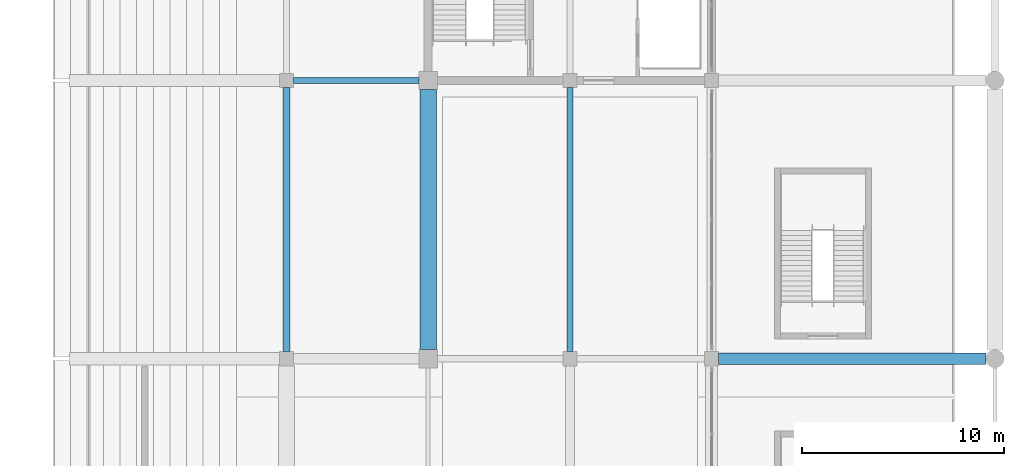
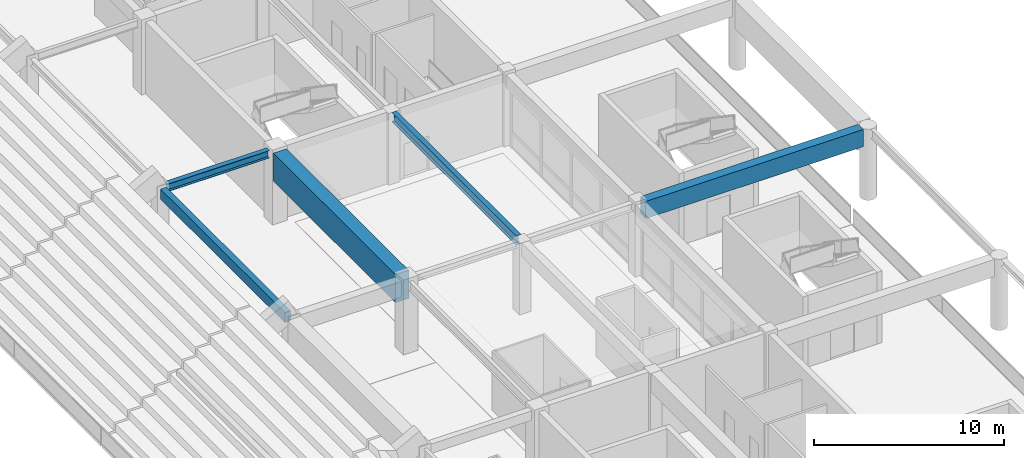
# One storey, part 36 of 94: 5 beams.
"""IFC4 building model written with IfcOpenShell, lengths in metres."""

from ifc_helpers import new_model, si_unit, direction, frame, origin, origin_2d, place, context, subcontext, project, spatial, rectangle, i_section, extrude, material, material_profile, profile_set, type_object, element, save


model = new_model("IFC4")

# Units and contexts
model_context = context("Model", 3, precision=1e-05, world=origin(), true_north=direction((0.0, 1.0)))
body_context = subcontext(model_context, "Body", "Model", "MODEL_VIEW")
ifc_project = project(units=[si_unit("LENGTHUNIT", "METRE"), si_unit("AREAUNIT", "SQUARE_METRE"), si_unit("VOLUMEUNIT", "CUBIC_METRE"), si_unit("PLANEANGLEUNIT", "RADIAN"), si_unit("MASSUNIT", "GRAM", prefix="KILO")], contexts=[model_context])

# Site, building, storey
site_placement = place(None, origin())
site = spatial("IfcSite", under=ifc_project, at=site_placement, CompositionType="ELEMENT")
building_placement = place(site_placement, origin())
building = spatial("IfcBuilding", under=site, at=building_placement, Name="Linyun Crest Stadium", CompositionType="ELEMENT")
storey_placement = place(building_placement, frame((0.0, 0.0, 16.199951171875)))
storey = spatial("IfcBuildingStorey", under=building, at=storey_placement, Name="L04", CompositionType="ELEMENT", Elevation=16.199951171875)

# Beams
ifc_material_1 = material(Name="Concrete C40", Category="concrete")
ifc_material_profile_1 = material_profile(ifc_material_1, rectangle(XDim=0.35009765625, YDim=0.64990234375, at=origin_2d()), Name="RCB 650x350")
ifc_profile_set_1 = profile_set([ifc_material_profile_1], Name="Concrete C40")
beam_type_1 = type_object("IfcBeamType", Name="B02", PredefinedType="BEAM", material=ifc_profile_set_1)
beam_1_placement = place(storey_placement, frame((63.0, -11.27490234375, 4.275146484375), z_axis=(0.0, 1.0, 0.0), x_axis=(-1.0, 0.0, 0.0)))
element("IfcBeam", 1, at=beam_1_placement, inside=storey, type_object=beam_type_1, Name="Frame beam B02 L04 702", PredefinedType="BEAM", context=body_context, shape_type="SweptSolid", body=[
    extrude(rectangle(XDim=0.35009765625, YDim=0.64990234375, at=origin_2d()), origin(), (0.0, 0.0, 1.0), 13.0498046875),
])
ifc_material_2 = material(Name="Steel Q355C", Category="steel")
ifc_material_profile_2 = material_profile(ifc_material_2, i_section(OverallWidth=0.300048828125, OverallDepth=0.488037109375, WebThickness=0.010986328125, FlangeThickness=0.01806640625, at=origin_2d()), Name="HM 488x300")
ifc_profile_set_2 = profile_set([ifc_material_profile_2], Name="Steel Q355C")
beam_type_2 = type_object("IfcBeamType", Name="B08", PredefinedType="BEAM", material=ifc_profile_set_2)
beam_2_placement = place(storey_placement, frame((63.35009765625, 2.125, 4.35595703125), z_axis=(1.0, 0.0, 0.0), x_axis=(0.0, 1.0, 0.0)))
element("IfcBeam", 2, at=beam_2_placement, inside=storey, type_object=beam_type_2, Name="Frame beam B08 L04 689", PredefinedType="BEAM", context=body_context, shape_type="SweptSolid", body=[
    extrude(i_section(OverallWidth=0.300048828125, OverallDepth=0.488037109375, WebThickness=0.010986328125, FlangeThickness=0.01806640625, at=origin_2d()), origin(), (0.0, 0.0, 1.0), 6.199951171875),
])
ifc_material_3 = material(Name="Steel Q355C", Category="steel")
ifc_material_profile_3 = material_profile(ifc_material_3, i_section(OverallWidth=0.300048828125, OverallDepth=0.587890625, WebThickness=0.011962890625, FlangeThickness=0.02001953125, at=origin_2d()), Name="HM 588x300")
ifc_profile_set_3 = profile_set([ifc_material_profile_3], Name="Steel Q355C")
beam_type_3 = type_object("IfcBeamType", Name="B09", PredefinedType="BEAM", material=ifc_profile_set_3)
beam_3_placement = place(storey_placement, frame((77.0, -11.27490234375, 4.30615234375), z_axis=(0.0, 1.0, 0.0), x_axis=(-1.0, 0.0, 0.0)))
element("IfcBeam", 3, at=beam_3_placement, inside=storey, type_object=beam_type_3, Name="Frame beam B09 L04 713", PredefinedType="BEAM", context=body_context, shape_type="SweptSolid", body=[
    extrude(i_section(OverallWidth=0.300048828125, OverallDepth=0.587890625, WebThickness=0.011962890625, FlangeThickness=0.02001953125, at=origin_2d()), origin(), (0.0, 0.0, 1.0), 13.0498046875),
])
ifc_material_4 = material(Name="Concrete C50", Category="concrete")
ifc_material_profile_4 = material_profile(ifc_material_4, rectangle(XDim=0.800048828125, YDim=1.800048828125, at=origin_2d()), Name="RCB 1800x800")
ifc_profile_set_4 = profile_set([ifc_material_profile_4], Name="Concrete C50")
beam_type_4 = type_object("IfcBeamType", Name="B14", PredefinedType="BEAM", material=ifc_profile_set_4)
beam_4_placement = place(storey_placement, frame((70.0, -11.175048828125, 3.699951171875), z_axis=(0.0, 1.0, 0.0), x_axis=(-1.0, 0.0, 0.0)))
element("IfcBeam", 4, at=beam_4_placement, inside=storey, type_object=beam_type_4, Name="Frame beam B14 L04 708", PredefinedType="BEAM", context=body_context, shape_type="SweptSolid", body=[
    extrude(rectangle(XDim=0.800048828125, YDim=1.800048828125, at=origin_2d()), origin(), (0.0, 0.0, 1.0), 12.85009765625),
])
ifc_material_5 = material(Name="Concrete C50", Category="concrete")
ifc_material_profile_5 = material_profile(ifc_material_5, rectangle(XDim=0.550048828125, YDim=1.10009765625, at=origin_2d()), Name="RCB 1100x550")
ifc_profile_set_5 = profile_set([ifc_material_profile_5], Name="Concrete C50")
beam_type_5 = type_object("IfcBeamType", Name="TB01", PredefinedType="USERDEFINED", material=ifc_profile_set_5)
beam_5_placement = place(storey_placement, frame((84.35009765625, -11.625, 4.010009765625), z_axis=(1.0, 0.0, 0.0), x_axis=(0.0, 1.0, 0.0)))
element("IfcBeam", 5, at=beam_5_placement, inside=storey, type_object=beam_type_5, Name="Frame beam TB01 L04 688", ObjectType="GIRDER", PredefinedType="USERDEFINED", context=body_context, shape_type="SweptSolid", body=[
    extrude(rectangle(XDim=0.550048828125, YDim=1.10009765625, at=origin_2d()), origin(), (0.0, 0.0, 1.0), 13.199951171875),
])

save(model, "model.ifc")
